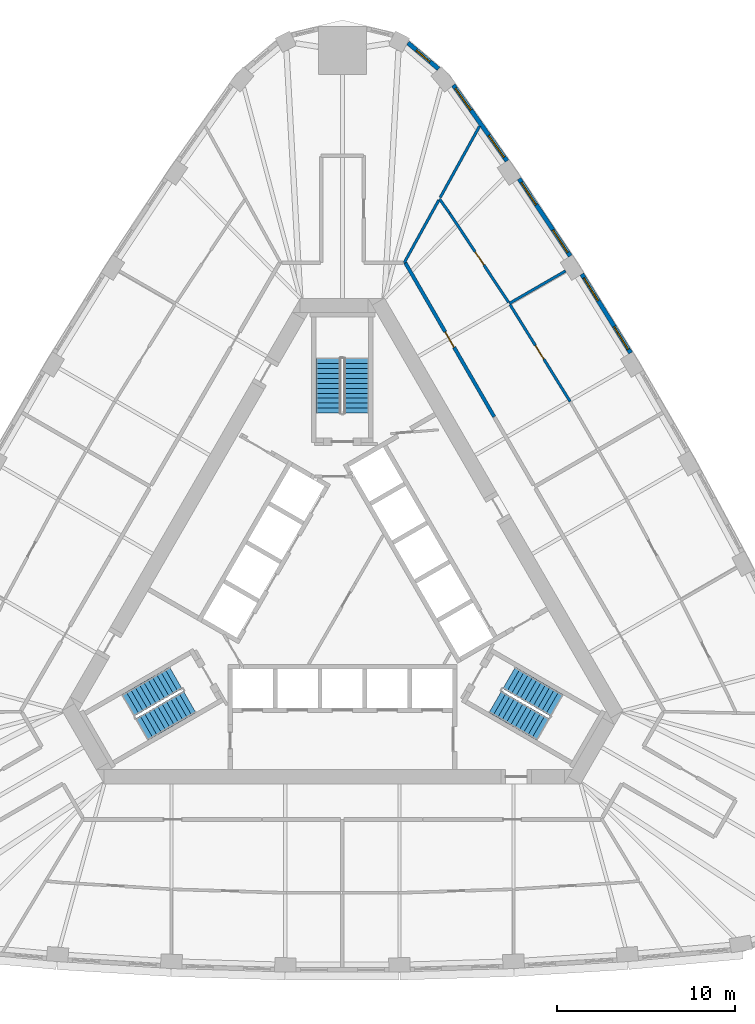
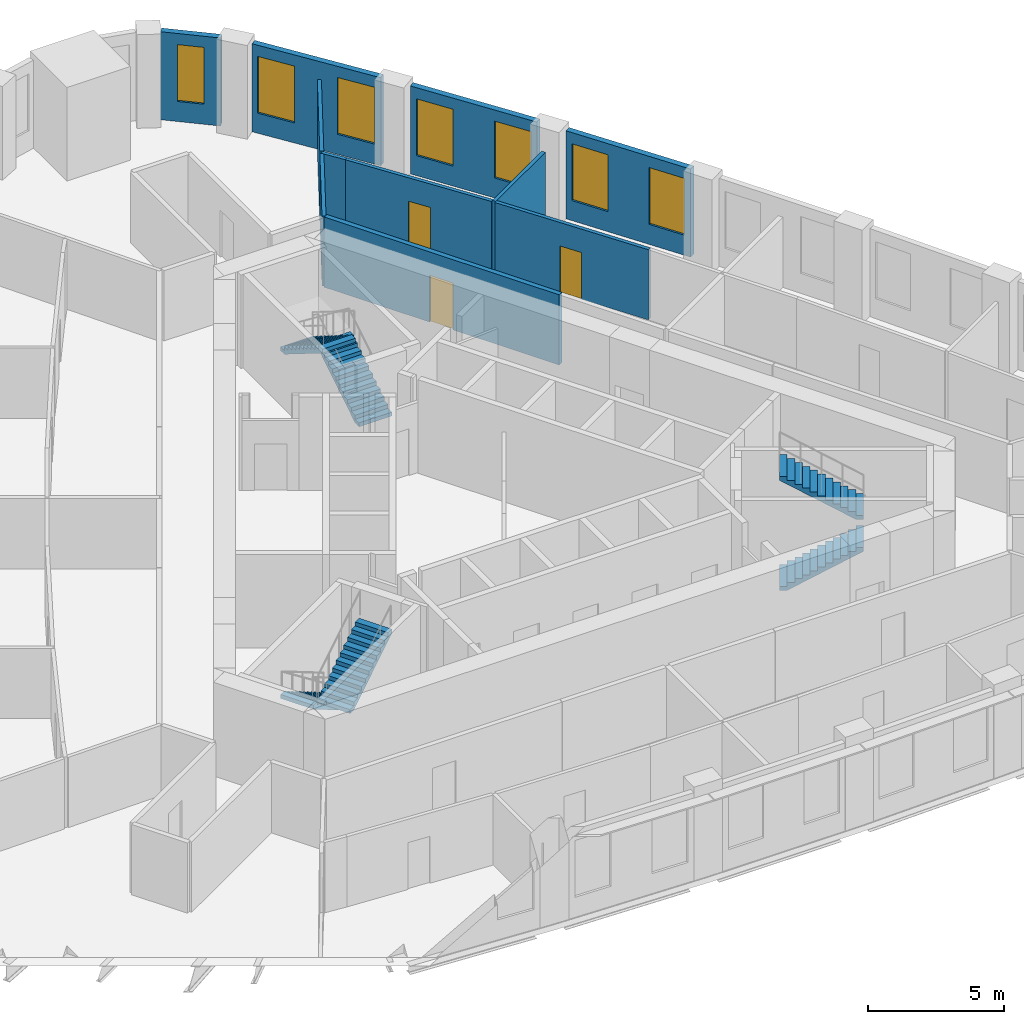
# One storey, part 9 of 10: 11 walls, 7 windows, 6 stair flights, 3 doors, 10 openings, 3 elements without a shape of their own.
"""IFC4 building model written with IfcOpenShell, lengths in metres."""

from ifc_helpers import new_model, si_unit, direction, frame, frame_2d, origin, place, context, subcontext, project, spatial, polyline, rectangle, outline, extrude, material, layer, layer_set, type_object, element, fill, aggregate, save


model = new_model("IFC4")

# Units and contexts
model_context = context("Model", 3, precision=1e-05, world=origin(), true_north=direction((0.0, 1.0)))
body_context = subcontext(model_context, "Body", "Model", "MODEL_VIEW")
ifc_project = project(units=[si_unit("LENGTHUNIT", "METRE"), si_unit("AREAUNIT", "SQUARE_METRE"), si_unit("VOLUMEUNIT", "CUBIC_METRE"), si_unit("PLANEANGLEUNIT", "RADIAN"), si_unit("MASSUNIT", "GRAM", prefix="KILO")], contexts=[model_context])

# Site, building, storey
site_placement = place(None, origin())
site = spatial("IfcSite", under=ifc_project, at=site_placement, CompositionType="ELEMENT")
building_placement = place(site_placement, origin())
building = spatial("IfcBuilding", under=site, at=building_placement, Name="Mestral Congress Tower", CompositionType="ELEMENT")
storey_placement = place(building_placement, frame((0.0, 0.0, 162.60009765625)))
storey = spatial("IfcBuildingStorey", under=building, at=storey_placement, Name="L38", CompositionType="ELEMENT", Elevation=162.60009765625)

# Wall, openings, windows
ifc_material_1 = material(Name="Precast concrete C40/50 with limestone facing", Category="masonry")
ifc_layer_1 = layer(ifc_material_1, 0.239990234375)
ifc_layer_set_1 = layer_set([ifc_layer_1], Name="Precast concrete C40/50 with limestone facing")
wall_type_1 = type_object("IfcWallType", Name="Facade stone wall 240", PredefinedType="SOLIDWALL", material=ifc_layer_set_1)
wall_1_placement = place(storey_placement, frame((16.170654296875, 13.731201171875, 0.0), z_axis=(0.0, 0.0, 1.0), x_axis=(-0.526197926587, 0.850362124072, 0.0)))
wall_1 = element("IfcWall", 1, at=wall_1_placement, inside=storey, type_object=wall_type_1, Name="Facade wall F1-04", PredefinedType="SOLIDWALL", context=body_context, shape_type="SweptSolid", body=[
    extrude(rectangle(XDim=5.203369140625, YDim=0.239990234375, at=frame_2d((2.6015625, 0.0))), origin(), (0.0, 0.0, 1.0), 3.949951171875),
])
opening_1_placement = place(wall_1_placement, frame((0.248291015625, 0.0, 0.89990234375)))
opening_1 = element("IfcOpeningElement", 2, at=opening_1_placement, cuts=wall_1, Name="Opening W4", PredefinedType="OPENING", context=body_context, shape_type="SweptSolid", body=[
    extrude(rectangle(XDim=1.5, YDim=2.550048828125, at=frame_2d((0.75, 1.27490234375))), frame((0.0, 0.1298828125, 0.0), z_axis=(0.0, -1.0, 0.0), x_axis=(1.0, 0.0, 0.0)), (0.0, 0.0, 1.0), 0.260009765625),
])
opening_2_placement = place(wall_1_placement, frame((3.455078125, 0.0, 0.89990234375)))
opening_2 = element("IfcOpeningElement", 3, at=opening_2_placement, cuts=wall_1, Name="Opening W4", PredefinedType="OPENING", context=body_context, shape_type="SweptSolid", body=[
    extrude(rectangle(XDim=1.5, YDim=2.550048828125, at=frame_2d((0.75, 1.27490234375))), frame((0.0, 0.1298828125, 0.0), z_axis=(0.0, -1.0, 0.0), x_axis=(1.0, 0.0, 0.0)), (0.0, 0.0, 1.0), 0.260009765625),
])
ifc_material_2 = material(Name="Clear low-emissivity double glazing", Category="glass")
window_type_1 = type_object("IfcWindowType", Name="Facade punched window 1500 x 2550 sill 900", PartitioningType="SINGLE_PANEL", PredefinedType="WINDOW", material=ifc_material_2)
window_1_placement = place(opening_1_placement, origin())
window_1 = element("IfcWindow", 4, at=window_1_placement, inside=storey, type_object=window_type_1, Name="Window F1-04a", OverallHeight=2.550048828125, OverallWidth=1.5, PartitioningType="SINGLE_PANEL", PredefinedType="WINDOW", context=body_context, shape_type="SweptSolid", body=[
    extrude(rectangle(XDim=1.5, YDim=2.550048828125, at=frame_2d((0.75, 1.27490234375))), frame((0.0, 0.0400390625, 0.0), z_axis=(0.0, -1.0, 0.0), x_axis=(1.0, 0.0, 0.0)), (0.0, 0.0, 1.0), 0.06005859375),
])
fill(opening_1, window_1)
window_2_placement = place(opening_2_placement, origin())
window_2 = element("IfcWindow", 5, at=window_2_placement, inside=storey, type_object=window_type_1, Name="Window F1-04b", OverallHeight=2.550048828125, OverallWidth=1.5, PartitioningType="SINGLE_PANEL", PredefinedType="WINDOW", context=body_context, shape_type="SweptSolid", body=[
    extrude(rectangle(XDim=1.5, YDim=2.550048828125, at=frame_2d((0.75, 1.27490234375))), frame((0.0, 0.0400390625, 0.0), z_axis=(0.0, -1.0, 0.0), x_axis=(1.0, 0.0, 0.0)), (0.0, 0.0, 1.0), 0.06005859375),
])
fill(opening_2, window_2)

wall_2_placement = place(storey_placement, frame((12.783203125, 19.170654296875, 0.0), z_axis=(0.0, 0.0, 1.0), x_axis=(-0.551892811511, 0.833915058386, 0.0)))
wall_2 = element("IfcWall", 6, at=wall_2_placement, inside=storey, type_object=wall_type_1, Name="Facade wall F1-05", PredefinedType="SOLIDWALL", context=body_context, shape_type="SweptSolid", body=[
    extrude(rectangle(XDim=5.20361328125, YDim=0.239990234375, at=frame_2d((2.601806640625, 0.0))), origin(), (0.0, 0.0, 1.0), 3.949951171875),
])
opening_3_placement = place(wall_2_placement, frame((0.248291015625, 0.0, 0.89990234375)))
opening_3 = element("IfcOpeningElement", 7, at=opening_3_placement, cuts=wall_2, Name="Opening W4", PredefinedType="OPENING", context=body_context, shape_type="SweptSolid", body=[
    extrude(rectangle(XDim=1.5, YDim=2.550048828125, at=frame_2d((0.75, 1.27490234375))), frame((0.0, 0.1298828125, 0.0), z_axis=(0.0, -1.0, 0.0), x_axis=(1.0, 0.0, 0.0)), (0.0, 0.0, 1.0), 0.260009765625),
])
opening_4_placement = place(wall_2_placement, frame((3.455078125, 0.0, 0.89990234375)))
opening_4 = element("IfcOpeningElement", 8, at=opening_4_placement, cuts=wall_2, Name="Opening W4", PredefinedType="OPENING", context=body_context, shape_type="SweptSolid", body=[
    extrude(rectangle(XDim=1.5, YDim=2.550048828125, at=frame_2d((0.75, 1.27490234375))), frame((0.0, 0.1298828125, 0.0), z_axis=(0.0, -1.0, 0.0), x_axis=(1.0, 0.0, 0.0)), (0.0, 0.0, 1.0), 0.260009765625),
])
window_3_placement = place(opening_3_placement, origin())
window_3 = element("IfcWindow", 9, at=window_3_placement, inside=storey, type_object=window_type_1, Name="Window F1-05a", OverallHeight=2.550048828125, OverallWidth=1.5, PartitioningType="SINGLE_PANEL", PredefinedType="WINDOW", context=body_context, shape_type="SweptSolid", body=[
    extrude(rectangle(XDim=1.5, YDim=2.550048828125, at=frame_2d((0.75, 1.27490234375))), frame((0.0, 0.0400390625, 0.0), z_axis=(0.0, -1.0, 0.0), x_axis=(1.0, 0.0, 0.0)), (0.0, 0.0, 1.0), 0.06005859375),
])
fill(opening_3, window_3)
window_4_placement = place(opening_4_placement, origin())
window_4 = element("IfcWindow", 10, at=window_4_placement, inside=storey, type_object=window_type_1, Name="Window F1-05b", OverallHeight=2.550048828125, OverallWidth=1.5, PartitioningType="SINGLE_PANEL", PredefinedType="WINDOW", context=body_context, shape_type="SweptSolid", body=[
    extrude(rectangle(XDim=1.5, YDim=2.550048828125, at=frame_2d((0.75, 1.27490234375))), frame((0.0, 0.0400390625, 0.0), z_axis=(0.0, -1.0, 0.0), x_axis=(1.0, 0.0, 0.0)), (0.0, 0.0, 1.0), 0.06005859375),
])
fill(opening_4, window_4)

wall_3_placement = place(storey_placement, frame((9.231201171875, 24.50439453125, 0.0), z_axis=(0.0, 0.0, 1.0), x_axis=(-0.577115207679, 0.816662743772, 0.0)))
wall_3 = element("IfcWall", 11, at=wall_3_placement, inside=storey, type_object=wall_type_1, Name="Facade wall F1-06", PredefinedType="SOLIDWALL", context=body_context, shape_type="SweptSolid", body=[
    extrude(rectangle(XDim=5.213134765625, YDim=0.239990234375, at=frame_2d((2.6064453125, 0.0))), origin(), (0.0, 0.0, 1.0), 3.949951171875),
])
opening_5_placement = place(wall_3_placement, frame((0.2607421875, 0.0, 0.89990234375)))
opening_5 = element("IfcOpeningElement", 12, at=opening_5_placement, cuts=wall_3, Name="Opening W4", PredefinedType="OPENING", context=body_context, shape_type="SweptSolid", body=[
    extrude(rectangle(XDim=1.5, YDim=2.550048828125, at=frame_2d((0.75, 1.27490234375))), frame((0.0, 0.1298828125, 0.0), z_axis=(0.0, -1.0, 0.0), x_axis=(1.0, 0.0, 0.0)), (0.0, 0.0, 1.0), 0.260009765625),
])
opening_6_placement = place(wall_3_placement, frame((3.492431640625, 0.0, 0.89990234375)))
opening_6 = element("IfcOpeningElement", 13, at=opening_6_placement, cuts=wall_3, Name="Opening W4", PredefinedType="OPENING", context=body_context, shape_type="SweptSolid", body=[
    extrude(rectangle(XDim=1.5, YDim=2.550048828125, at=frame_2d((0.75, 1.27490234375))), frame((0.0, 0.1298828125, 0.0), z_axis=(0.0, -1.0, 0.0), x_axis=(1.0, 0.0, 0.0)), (0.0, 0.0, 1.0), 0.260009765625),
])
window_5_placement = place(opening_5_placement, origin())
window_5 = element("IfcWindow", 14, at=window_5_placement, inside=storey, type_object=window_type_1, Name="Window F1-06a", OverallHeight=2.550048828125, OverallWidth=1.5, PartitioningType="SINGLE_PANEL", PredefinedType="WINDOW", context=body_context, shape_type="SweptSolid", body=[
    extrude(rectangle(XDim=1.5, YDim=2.550048828125, at=frame_2d((0.75, 1.27490234375))), frame((0.0, 0.0400390625, 0.0), z_axis=(0.0, -1.0, 0.0), x_axis=(1.0, 0.0, 0.0)), (0.0, 0.0, 1.0), 0.06005859375),
])
fill(opening_5, window_5)
window_6_placement = place(opening_6_placement, origin())
window_6 = element("IfcWindow", 15, at=window_6_placement, inside=storey, type_object=window_type_1, Name="Window F1-06b", OverallHeight=2.550048828125, OverallWidth=1.5, PartitioningType="SINGLE_PANEL", PredefinedType="WINDOW", context=body_context, shape_type="SweptSolid", body=[
    extrude(rectangle(XDim=1.5, YDim=2.550048828125, at=frame_2d((0.75, 1.27490234375))), frame((0.0, 0.0400390625, 0.0), z_axis=(0.0, -1.0, 0.0), x_axis=(1.0, 0.0, 0.0)), (0.0, 0.0, 1.0), 0.06005859375),
])
fill(opening_6, window_6)

# Wall, opening, window
wall_4_placement = place(storey_placement, frame((5.3916015625, 29.672119140625, 0.0), z_axis=(0.0, 0.0, 1.0), x_axis=(-0.761419744247, 0.648259186645, 0.0)))
wall_4 = element("IfcWall", 16, at=wall_4_placement, inside=storey, type_object=wall_type_1, Name="Facade wall K1-0", PredefinedType="SOLIDWALL", context=body_context, shape_type="SweptSolid", body=[
    extrude(rectangle(XDim=2.250244140625, YDim=0.239990234375, at=frame_2d((1.125, 0.0))), origin(), (0.0, 0.0, 1.0), 3.949951171875),
])
opening_7_placement = place(wall_4_placement, frame((0.625244140625, 0.0, 0.89990234375)))
opening_7 = element("IfcOpeningElement", 17, at=opening_7_placement, cuts=wall_4, Name="Opening W5", PredefinedType="OPENING", context=body_context, shape_type="SweptSolid", body=[
    extrude(rectangle(XDim=1.0, YDim=2.550048828125, at=frame_2d((0.5, 1.27490234375))), frame((0.0, 0.1298828125, 0.0), z_axis=(0.0, -1.0, 0.0), x_axis=(1.0, 0.0, 0.0)), (0.0, 0.0, 1.0), 0.260009765625),
])
window_type_2 = type_object("IfcWindowType", Name="Facade punched window 1000 x 2550 sill 900", PartitioningType="SINGLE_PANEL", PredefinedType="WINDOW", material=ifc_material_2)
window_7_placement = place(opening_7_placement, origin())
window_7 = element("IfcWindow", 18, at=window_7_placement, inside=storey, type_object=window_type_2, Name="Window K1-0", OverallHeight=2.550048828125, OverallWidth=1.0, PartitioningType="SINGLE_PANEL", PredefinedType="WINDOW", context=body_context, shape_type="SweptSolid", body=[
    extrude(rectangle(XDim=1.0, YDim=2.550048828125, at=frame_2d((0.5, 1.27490234375))), frame((0.0, 0.0400390625, 0.0), z_axis=(0.0, -1.0, 0.0), x_axis=(1.0, 0.0, 0.0)), (0.0, 0.0, 1.0), 0.06005859375),
])
fill(opening_7, window_7)

# Wall
ifc_material_3 = material(Name="Plasterboard partition on steel studs", Category="steel")
ifc_layer_2 = layer(ifc_material_3, 0.14990234375)
ifc_layer_set_2 = layer_set([ifc_layer_2], Name="Plasterboard partition on steel studs")
wall_type_2 = type_object("IfcWallType", Name="Office partition 150", PredefinedType="PARTITIONING", material=ifc_layer_set_2)
wall_5_placement = place(storey_placement, frame((9.363037109375, 16.5107421875, 0.0), z_axis=(0.0, 0.0, 1.0), x_axis=(0.866006134298, 0.500033374244, 0.0)))
element("IfcWall", 19, at=wall_5_placement, inside=storey, type_object=wall_type_2, Name="Partition", PredefinedType="PARTITIONING", context=body_context, shape_type="SweptSolid", body=[
    extrude(rectangle(XDim=3.647705078125, YDim=0.14990234375, at=frame_2d((1.82373046875, 0.0))), origin(), (0.0, 0.0, 1.0), 3.14990234375),
])

# Wall, opening, door
wall_6_placement = place(storey_placement, frame((9.402587890625, 16.447021484375, 0.0), z_axis=(0.0, 0.0, 1.0), x_axis=(0.527026092571, -0.849849102929, 0.0)))
wall_6 = element("IfcWall", 20, at=wall_6_placement, inside=storey, type_object=wall_type_2, Name="Partition", PredefinedType="PARTITIONING", context=body_context, shape_type="SweptSolid", body=[
    extrude(rectangle(XDim=6.406982421875, YDim=0.14990234375, at=frame_2d((3.20361328125, 0.0))), origin(), (0.0, 0.0, 1.0), 3.14990234375),
])
opening_8_placement = place(wall_6_placement, frame((2.707275390625, 0.0, 0.0)))
opening_8 = element("IfcOpeningElement", 21, at=opening_8_placement, cuts=wall_6, Name="Opening O02-008", PredefinedType="OPENING", context=body_context, shape_type="SweptSolid", body=[
    extrude(rectangle(XDim=0.89990234375, YDim=2.10009765625, at=frame_2d((0.449951171875, 1.050048828125))), frame((0.0, 0.0849609375, 0.0), z_axis=(0.0, -1.0, 0.0), x_axis=(1.0, 0.0, 0.0)), (0.0, 0.0, 1.0), 0.169921875),
])
ifc_material_4 = material(Name="Timber door set", Category="wood")
door_type_1 = type_object("IfcDoorType", Name="Office door 900x2100", OperationType="SINGLE_SWING_LEFT", PredefinedType="DOOR", material=ifc_material_4)
door_1_placement = place(opening_8_placement, origin())
door_1 = element("IfcDoor", 22, at=door_1_placement, inside=storey, type_object=door_type_1, Name="Door O02-008", OperationType="SINGLE_SWING_LEFT", OverallHeight=2.10009765625, OverallWidth=0.89990234375, PredefinedType="DOOR", context=body_context, shape_type="SweptSolid", body=[
    extrude(rectangle(XDim=0.89990234375, YDim=2.10009765625, at=frame_2d((0.449951171875, 1.050048828125))), frame((0.0, 0.02490234375, 0.0), z_axis=(0.0, -1.0, 0.0), x_axis=(1.0, 0.0, 0.0)), (0.0, 0.0, 1.0), 0.050048828125),
])
fill(opening_8, door_1)

wall_7_placement = place(storey_placement, frame((6.0126953125, 21.572998046875, 0.0), z_axis=(0.0, 0.0, 1.0), x_axis=(0.551906048292, -0.833906298009, 0.0)))
wall_7 = element("IfcWall", 23, at=wall_7_placement, inside=storey, type_object=wall_type_2, Name="Partition", PredefinedType="PARTITIONING", context=body_context, shape_type="SweptSolid", body=[
    extrude(rectangle(XDim=5.995361328125, YDim=0.14990234375, at=frame_2d((2.99755859375, 0.0))), origin(), (0.0, 0.0, 1.0), 3.14990234375),
])
opening_9_placement = place(wall_7_placement, frame((2.595458984375, 0.0, 0.0)))
opening_9 = element("IfcOpeningElement", 24, at=opening_9_placement, cuts=wall_7, Name="Opening O02-009", PredefinedType="OPENING", context=body_context, shape_type="SweptSolid", body=[
    extrude(rectangle(XDim=0.89990234375, YDim=2.10009765625, at=frame_2d((0.449951171875, 1.050048828125))), frame((0.0, 0.0849609375, 0.0), z_axis=(0.0, -1.0, 0.0), x_axis=(1.0, 0.0, 0.0)), (0.0, 0.0, 1.0), 0.169921875),
])
door_2_placement = place(opening_9_placement, origin())
door_2 = element("IfcDoor", 25, at=door_2_placement, inside=storey, type_object=door_type_1, Name="Door O02-009", OperationType="SINGLE_SWING_RIGHT", OverallHeight=2.10009765625, OverallWidth=0.89990234375, PredefinedType="DOOR", context=body_context, shape_type="SweptSolid", body=[
    extrude(rectangle(XDim=0.89990234375, YDim=2.10009765625, at=frame_2d((0.449951171875, 1.050048828125))), frame((0.0, 0.02490234375, 0.0), z_axis=(0.0, -1.0, 0.0), x_axis=(1.0, 0.0, 0.0)), (0.0, 0.0, 1.0), 0.050048828125),
])
fill(opening_9, door_2)

# Walls
wall_8_placement = place(storey_placement, frame((6.0126953125, 21.572998046875, 0.0), z_axis=(0.0, 0.0, 1.0), x_axis=(-0.576965221715, 0.816768714467, 0.0)))
element("IfcWall", 26, at=wall_8_placement, inside=storey, type_object=wall_type_2, Name="Partition", PredefinedType="PARTITIONING", context=body_context, shape_type="SweptSolid", body=[
    extrude(rectangle(XDim=0.985595703125, YDim=0.14990234375, at=frame_2d((0.49267578125, 0.0))), origin(), (0.0, 0.0, 1.0), 3.14990234375),
])
wall_9_placement = place(storey_placement, frame((5.484130859375, 22.450927734375, 0.0), z_axis=(0.0, 0.0, 1.0), x_axis=(0.483018213307, 0.875610304652, 0.0)))
element("IfcWall", 27, at=wall_9_placement, inside=storey, type_object=wall_type_2, Name="Partition", PredefinedType="PARTITIONING", context=body_context, shape_type="SweptSolid", body=[
    extrude(rectangle(XDim=4.58447265625, YDim=0.14990234375, at=frame_2d((2.292236328125, 0.0))), origin(), (0.0, 0.0, 1.0), 3.14990234375),
])
wall_10_placement = place(storey_placement, frame((3.470458984375, 18.800048828125, 0.0), z_axis=(0.0, 0.0, 1.0), x_axis=(0.483004783308, 0.87561771299, 0.0)))
element("IfcWall", 28, at=wall_10_placement, inside=storey, type_object=wall_type_2, Name="Partition", PredefinedType="PARTITIONING", context=body_context, shape_type="SweptSolid", body=[
    extrude(rectangle(XDim=4.002685546875, YDim=0.14990234375, at=frame_2d((2.00146484375, 0.0))), origin(), (0.0, 0.0, 1.0), 3.14990234375),
])

# Wall, opening, door
ifc_material_5 = material(Name="Dense masonry wall, plastered", Category="masonry")
ifc_layer_3 = layer(ifc_material_5, 0.199951171875)
ifc_layer_set_3 = layer_set([ifc_layer_3], Name="Dense masonry wall, plastered")
wall_type_3 = type_object("IfcWallType", Name="Office tenancy wall 200", PredefinedType="PARTITIONING", material=ifc_layer_set_3)
wall_11_placement = place(storey_placement, frame((8.514892578125, 10.151611328125, 0.0), z_axis=(0.0, 0.0, 1.0), x_axis=(-0.499998974385, 0.866025995923, 0.0)))
wall_11 = element("IfcWall", 29, at=wall_11_placement, inside=storey, type_object=wall_type_3, Name="Tenancy wall", PredefinedType="PARTITIONING", context=body_context, shape_type="SweptSolid", body=[
    extrude(rectangle(XDim=9.986328125, YDim=0.199951171875, at=frame_2d((4.9931640625, 0.0))), origin(), (0.0, 0.0, 1.0), 3.14990234375),
])
opening_10_placement = place(wall_11_placement, frame((4.5, 0.0, 0.0)))
opening_10 = element("IfcOpeningElement", 30, at=opening_10_placement, cuts=wall_11, Name="Opening O02-010", PredefinedType="OPENING", context=body_context, shape_type="SweptSolid", body=[
    extrude(rectangle(XDim=1.0, YDim=2.10009765625, at=frame_2d((0.5, 1.050048828125))), frame((0.0, 0.10986328125, 0.0), z_axis=(0.0, -1.0, 0.0), x_axis=(1.0, 0.0, 0.0)), (0.0, 0.0, 1.0), 0.219970703125),
])
ifc_material_6 = material(Name="Fire-rated timber door set", Category="wood")
door_type_2 = type_object("IfcDoorType", Name="Office tenancy entrance door 1000x2100", OperationType="SINGLE_SWING_LEFT", PredefinedType="DOOR", material=ifc_material_6)
door_3_placement = place(opening_10_placement, origin())
door_3 = element("IfcDoor", 31, at=door_3_placement, inside=storey, type_object=door_type_2, Name="Door O02-010", OperationType="SINGLE_SWING_RIGHT", OverallHeight=2.10009765625, OverallWidth=1.0, PredefinedType="DOOR", context=body_context, shape_type="SweptSolid", body=[
    extrude(rectangle(XDim=1.0, YDim=2.10009765625, at=frame_2d((0.5, 1.050048828125))), frame((0.0, 0.02490234375, 0.0), z_axis=(0.0, -1.0, 0.0), x_axis=(1.0, 0.0, 0.0)), (0.0, 0.0, 1.0), 0.050048828125),
])
fill(opening_10, door_3)

# Stair, stair flights
ifc_material_7 = material(Name="Concrete C60/75", Category="concrete")
stair_type = type_object("IfcStairType", Name="Exit stair 1400", PredefinedType="HALF_TURN_STAIR", material=ifc_material_7)
placement = place(storey_placement, origin())
stair_1 = element("IfcStair", 32, at=placement, inside=storey, type_object=stair_type, Name="L38 ST1", PredefinedType="HALF_TURN_STAIR")
stair_flight_type = type_object("IfcStairFlightType", Name="Exit stair flight 1400", PredefinedType="STRAIGHT", material=ifc_material_7)
stair_flight_1_placement = place(storey_placement, frame((8.575927734375, -5.84619140625, 0.0), z_axis=(0.0, 0.0, 1.0), x_axis=(0.866025403784, -0.5, 0.0)))
stair_flight_1 = element("IfcStairFlight", 33, at=stair_flight_1_placement, type_object=stair_flight_type, Name="ST1 flight 1", NumberOfRisers=12, NumberOfTreads=11, PredefinedType="STRAIGHT", RiserHeight=0.175, TreadLength=0.28, context=body_context, shape_type="SweptSolid", body=[
    extrude(outline(polyline([(0.0, 0.0), (0.0, 0.175048828125), (0.280029296875, 0.175048828125), (0.280029296875, 0.35009765625), (0.56005859375, 0.35009765625), (0.56005859375, 0.52490234375), (0.840087890625, 0.52490234375), (0.840087890625, 0.699951171875), (1.1201171875, 0.699951171875), (1.1201171875, 0.875), (1.39990234375, 0.875), (1.39990234375, 1.050048828125), (1.679931640625, 1.050048828125), (1.679931640625, 1.22509765625), (1.9599609375, 1.22509765625), (1.9599609375, 1.39990234375), (2.239990234375, 1.39990234375), (2.239990234375, 1.574951171875), (2.52001953125, 1.574951171875), (2.52001953125, 1.75), (2.800048828125, 1.75), (2.800048828125, 1.925048828125), (3.080078125, 1.925048828125), (3.080078125, 2.10009765625), (3.080078125, 1.748291015625), (0.28271484375, 0.0), (0.0, 0.0)])), frame((0.0, 0.699951171875, 0.0), z_axis=(0.0, -1.0, 0.0), x_axis=(1.0, 0.0, 0.0)), (0.0, 0.0, 1.0), 1.39990234375),
])
stair_flight_2_placement = place(storey_placement, frame((12.018310546875, -6.0439453125, 2.099853515625), z_axis=(0.0, 0.0, 1.0), x_axis=(-0.866025403784, 0.5, 0.0)))
stair_flight_2 = element("IfcStairFlight", 34, at=stair_flight_2_placement, type_object=stair_flight_type, Name="ST1 flight 2", NumberOfRisers=12, NumberOfTreads=11, PredefinedType="STRAIGHT", RiserHeight=0.175, TreadLength=0.28, context=body_context, shape_type="SweptSolid", body=[
    extrude(outline(polyline([(0.0, 0.0), (0.0, 0.175048828125), (0.280029296875, 0.175048828125), (0.280029296875, 0.35009765625), (0.56005859375, 0.35009765625), (0.56005859375, 0.52490234375), (0.840087890625, 0.52490234375), (0.840087890625, 0.699951171875), (1.1201171875, 0.699951171875), (1.1201171875, 0.875), (1.39990234375, 0.875), (1.39990234375, 1.050048828125), (1.679931640625, 1.050048828125), (1.679931640625, 1.22509765625), (1.9599609375, 1.22509765625), (1.9599609375, 1.39990234375), (2.239990234375, 1.39990234375), (2.239990234375, 1.574951171875), (2.52001953125, 1.574951171875), (2.52001953125, 1.75), (2.800048828125, 1.75), (2.800048828125, 1.925048828125), (3.080078125, 1.925048828125), (3.080078125, 2.10009765625), (3.080078125, 1.748291015625), (0.28271484375, 0.0), (0.0, 0.0)])), frame((0.0, 0.699951171875, 0.0), z_axis=(0.0, -1.0, 0.0), x_axis=(1.0, 0.0, 0.0)), (0.0, 0.0, 1.0), 1.39990234375),
])
aggregate(stair_1, [stair_flight_1, stair_flight_2])

stair_2 = element("IfcStair", 35, at=placement, inside=storey, type_object=stair_type, Name="L38 ST2", PredefinedType="HALF_TURN_STAIR")
stair_flight_3_placement = place(storey_placement, frame((0.77490234375, 10.35009765625, 0.0), z_axis=(0.0, 0.0, 1.0), x_axis=(0.0, 1.0, 0.0)))
stair_flight_3 = element("IfcStairFlight", 36, at=stair_flight_3_placement, type_object=stair_flight_type, Name="ST2 flight 1", NumberOfRisers=12, NumberOfTreads=11, PredefinedType="STRAIGHT", RiserHeight=0.175, TreadLength=0.28, context=body_context, shape_type="SweptSolid", body=[
    extrude(outline(polyline([(0.0, 0.0), (0.0, 0.175048828125), (0.280029296875, 0.175048828125), (0.280029296875, 0.35009765625), (0.56005859375, 0.35009765625), (0.56005859375, 0.52490234375), (0.840087890625, 0.52490234375), (0.840087890625, 0.699951171875), (1.1201171875, 0.699951171875), (1.1201171875, 0.875), (1.39990234375, 0.875), (1.39990234375, 1.050048828125), (1.679931640625, 1.050048828125), (1.679931640625, 1.22509765625), (1.9599609375, 1.22509765625), (1.9599609375, 1.39990234375), (2.239990234375, 1.39990234375), (2.239990234375, 1.574951171875), (2.52001953125, 1.574951171875), (2.52001953125, 1.75), (2.800048828125, 1.75), (2.800048828125, 1.925048828125), (3.080078125, 1.925048828125), (3.080078125, 2.10009765625), (3.080078125, 1.748291015625), (0.28271484375, 0.0), (0.0, 0.0)])), frame((0.0, 0.699951171875, 0.0), z_axis=(0.0, -1.0, 0.0), x_axis=(1.0, 0.0, 0.0)), (0.0, 0.0, 1.0), 1.39990234375),
])
stair_flight_4_placement = place(storey_placement, frame((-0.77490234375, 13.429931640625, 2.099853515625), z_axis=(0.0, 0.0, 1.0), x_axis=(0.0, -1.0, 0.0)))
stair_flight_4 = element("IfcStairFlight", 37, at=stair_flight_4_placement, type_object=stair_flight_type, Name="ST2 flight 2", NumberOfRisers=12, NumberOfTreads=11, PredefinedType="STRAIGHT", RiserHeight=0.175, TreadLength=0.28, context=body_context, shape_type="SweptSolid", body=[
    extrude(outline(polyline([(0.0, 0.0), (0.0, 0.175048828125), (0.280029296875, 0.175048828125), (0.280029296875, 0.35009765625), (0.56005859375, 0.35009765625), (0.56005859375, 0.52490234375), (0.840087890625, 0.52490234375), (0.840087890625, 0.699951171875), (1.1201171875, 0.699951171875), (1.1201171875, 0.875), (1.39990234375, 0.875), (1.39990234375, 1.050048828125), (1.679931640625, 1.050048828125), (1.679931640625, 1.22509765625), (1.9599609375, 1.22509765625), (1.9599609375, 1.39990234375), (2.239990234375, 1.39990234375), (2.239990234375, 1.574951171875), (2.52001953125, 1.574951171875), (2.52001953125, 1.75), (2.800048828125, 1.75), (2.800048828125, 1.925048828125), (3.080078125, 1.925048828125), (3.080078125, 2.10009765625), (3.080078125, 1.748291015625), (0.28271484375, 0.0), (0.0, 0.0)])), frame((0.0, 0.699951171875, 0.0), z_axis=(0.0, -1.0, 0.0), x_axis=(1.0, 0.0, 0.0)), (0.0, 0.0, 1.0), 1.39990234375),
])
aggregate(stair_2, [stair_flight_3, stair_flight_4])

stair_3 = element("IfcStair", 38, at=placement, inside=storey, type_object=stair_type, Name="L38 ST3", PredefinedType="HALF_TURN_STAIR")
stair_flight_5_placement = place(storey_placement, frame((-9.350830078125, -4.50390625, 0.0), z_axis=(0.0, 0.0, 1.0), x_axis=(-0.866025403784, -0.5, 0.0)))
stair_flight_5 = element("IfcStairFlight", 39, at=stair_flight_5_placement, type_object=stair_flight_type, Name="ST3 flight 1", NumberOfRisers=12, NumberOfTreads=11, PredefinedType="STRAIGHT", RiserHeight=0.175, TreadLength=0.28, context=body_context, shape_type="SweptSolid", body=[
    extrude(outline(polyline([(0.0, 0.0), (0.0, 0.175048828125), (0.280029296875, 0.175048828125), (0.280029296875, 0.35009765625), (0.56005859375, 0.35009765625), (0.56005859375, 0.52490234375), (0.840087890625, 0.52490234375), (0.840087890625, 0.699951171875), (1.1201171875, 0.699951171875), (1.1201171875, 0.875), (1.39990234375, 0.875), (1.39990234375, 1.050048828125), (1.679931640625, 1.050048828125), (1.679931640625, 1.22509765625), (1.9599609375, 1.22509765625), (1.9599609375, 1.39990234375), (2.239990234375, 1.39990234375), (2.239990234375, 1.574951171875), (2.52001953125, 1.574951171875), (2.52001953125, 1.75), (2.800048828125, 1.75), (2.800048828125, 1.925048828125), (3.080078125, 1.925048828125), (3.080078125, 2.10009765625), (3.080078125, 1.748291015625), (0.28271484375, 0.0), (0.0, 0.0)])), frame((0.0, 0.699951171875, 0.0), z_axis=(0.0, -1.0, 0.0), x_axis=(1.0, 0.0, 0.0)), (0.0, 0.0, 1.0), 1.39990234375),
])
stair_flight_6_placement = place(storey_placement, frame((-11.2431640625, -7.38623046875, 2.099853515625), z_axis=(0.0, 0.0, 1.0), x_axis=(0.866025403784, 0.5, 0.0)))
stair_flight_6 = element("IfcStairFlight", 40, at=stair_flight_6_placement, type_object=stair_flight_type, Name="ST3 flight 2", NumberOfRisers=12, NumberOfTreads=11, PredefinedType="STRAIGHT", RiserHeight=0.175, TreadLength=0.28, context=body_context, shape_type="SweptSolid", body=[
    extrude(outline(polyline([(0.0, 0.0), (0.0, 0.175048828125), (0.280029296875, 0.175048828125), (0.280029296875, 0.35009765625), (0.56005859375, 0.35009765625), (0.56005859375, 0.52490234375), (0.840087890625, 0.52490234375), (0.840087890625, 0.699951171875), (1.1201171875, 0.699951171875), (1.1201171875, 0.875), (1.39990234375, 0.875), (1.39990234375, 1.050048828125), (1.679931640625, 1.050048828125), (1.679931640625, 1.22509765625), (1.9599609375, 1.22509765625), (1.9599609375, 1.39990234375), (2.239990234375, 1.39990234375), (2.239990234375, 1.574951171875), (2.52001953125, 1.574951171875), (2.52001953125, 1.75), (2.800048828125, 1.75), (2.800048828125, 1.925048828125), (3.080078125, 1.925048828125), (3.080078125, 2.10009765625), (3.080078125, 1.748291015625), (0.28271484375, 0.0), (0.0, 0.0)])), frame((0.0, 0.699951171875, 0.0), z_axis=(0.0, -1.0, 0.0), x_axis=(1.0, 0.0, 0.0)), (0.0, 0.0, 1.0), 1.39990234375),
])
aggregate(stair_3, [stair_flight_5, stair_flight_6])

save(model, "model.ifc")
